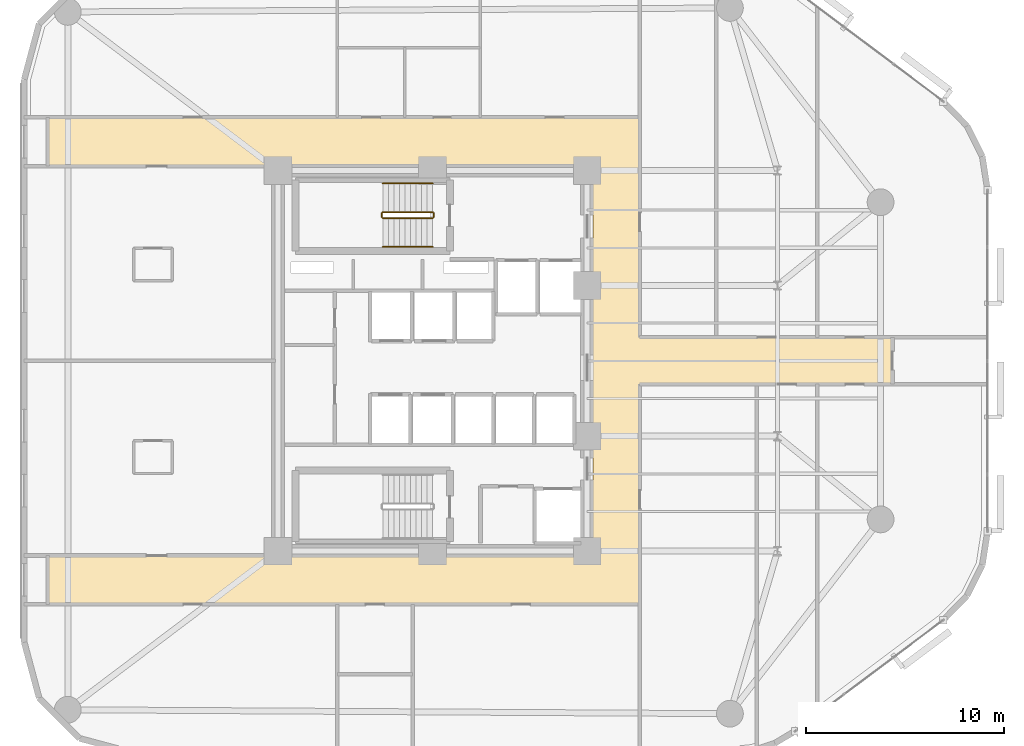
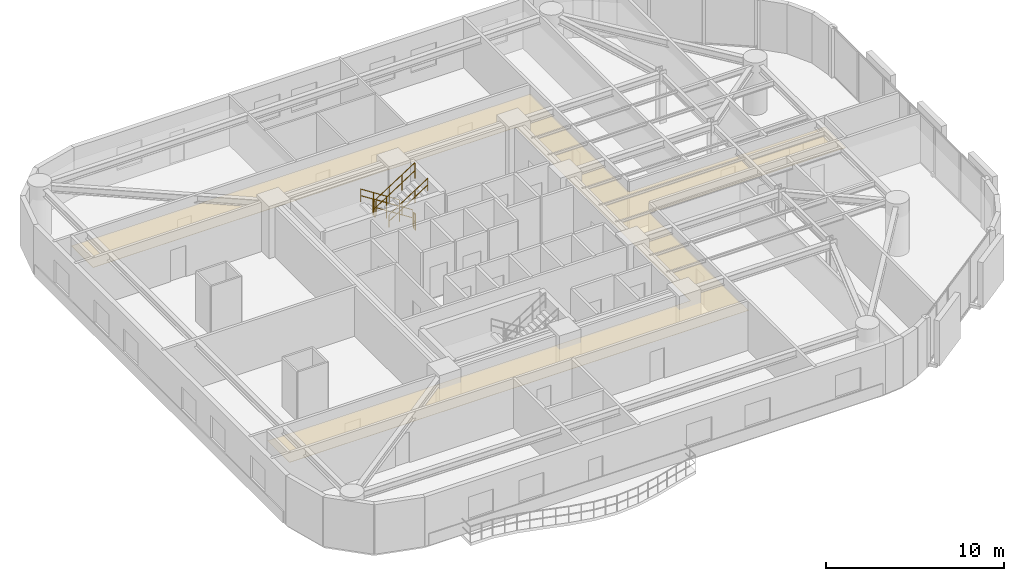
# One storey, part 15 of 16: 6 railings, 1 covering.
"""IFC4 building model written with IfcOpenShell, lengths in metres."""

from ifc_helpers import new_model, si_unit, direction, frame, origin, origin_2d, place, context, subcontext, project, spatial, polyline, circle, outline, extrude, material, layer, layer_set, type_object, element, save


model = new_model("IFC4")

# Units and contexts
model_context = context("Model", 3, precision=1e-05, world=origin(), true_north=direction((0.0, 1.0)))
body_context = subcontext(model_context, "Body", "Model", "MODEL_VIEW")
ifc_project = project(units=[si_unit("LENGTHUNIT", "METRE"), si_unit("AREAUNIT", "SQUARE_METRE"), si_unit("VOLUMEUNIT", "CUBIC_METRE"), si_unit("PLANEANGLEUNIT", "RADIAN"), si_unit("MASSUNIT", "GRAM", prefix="KILO")], contexts=[model_context])

# Site, building, storey
site_placement = place(None, origin())
site = spatial("IfcSite", under=ifc_project, at=site_placement, CompositionType="ELEMENT")
building_placement = place(site_placement, origin())
building = spatial("IfcBuilding", under=site, at=building_placement, Name="An Khanh Terracotta Commons", CompositionType="ELEMENT")
storey_placement = place(building_placement, frame((0.0, 0.0, 111.5)))
storey = spatial("IfcBuildingStorey", under=building, at=storey_placement, Name="L29", CompositionType="ELEMENT", Elevation=111.5)

# Covering
ifc_material_1 = material(Name="Perforated Mineral-Fibre Acoustic Tile")
ifc_layer = layer(ifc_material_1, 0.02001953125, Name="Perforated Mineral-Fibre Acoustic Tile")
ifc_layer_set = layer_set([ifc_layer], Name="Perforated Mineral-Fibre Acoustic Tile")
covering_type = type_object("IfcCoveringType", Name="CEIL-ACOUSTIC-18", PredefinedType="CEILING", material=ifc_layer_set)
covering_placement = place(storey_placement, frame((0.0, 0.0, 2.64990234375)))
element("IfcCovering", 1, at=covering_placement, inside=storey, type_object=covering_type, Name="L29 Corridor Ceiling", PredefinedType="CEILING", context=body_context, shape_type="SweptSolid", body=[
    extrude(outline(polyline([(10.0, 11.719970703125), (10.0, 14.179931640625), (37.5, 14.179931640625), (37.5, 33.820068359375), (10.0, 33.820068359375), (10.0, 36.280029296875), (37.5, 36.280029296875), (39.85009765625, 36.280029296875), (39.85009765625, 33.820068359375), (39.85009765625, 25.179931640625), (52.60009765625, 25.179931640625), (52.60009765625, 22.820068359375), (39.85009765625, 22.820068359375), (39.85009765625, 14.179931640625), (39.85009765625, 11.719970703125), (37.5, 11.719970703125), (10.0, 11.719970703125)])), origin(), (0.0, 0.0, 1.0), 0.02001953125),
])

# Railings
ifc_material_2 = material(Name="Brushed Stainless Steel 316", Category="steel")
railing_type_1 = type_object("IfcRailingType", Name="RAIL-HANDRAIL-900", PredefinedType="HANDRAIL", material=ifc_material_2)
railing_1_placement = place(storey_placement, frame((29.409912109375, 32.949951171875, 0.179931640625)))
element("IfcRailing", 2, at=railing_1_placement, inside=storey, type_object=railing_type_1, Name="L29 ST-01 stair handrail 1", PredefinedType="HANDRAIL", context=body_context, shape_type="SweptSolid", body=[
    extrude(circle(Radius=0.02392578125, at=origin_2d()), frame((0.0, 0.0, 0.8759765625), z_axis=(-0.841162588446, 0.0, 0.540782303519), x_axis=(0.0, -1.0, 0.0)), (0.0, 0.0, 1.0), 2.995849609375),
    extrude(circle(Radius=0.02392578125, at=origin_2d()), frame((0.0, 0.0, 0.42578125), z_axis=(-0.841162588446, 0.0, 0.540782303519), x_axis=(0.0, -1.0, 0.0)), (0.0, 0.0, 1.0), 2.995849609375),
    extrude(circle(Radius=0.02099609375, at=origin_2d()), origin(), (0.0, 0.0, 1.0), 0.851806640625),
    extrude(circle(Radius=0.02099609375, at=origin_2d()), frame((-0.840087890625, 0.0, 0.5400390625)), (0.0, 0.0, 1.0), 0.851806640625),
    extrude(circle(Radius=0.02099609375, at=origin_2d()), frame((-1.679931640625, 0.0, 1.080078125)), (0.0, 0.0, 1.0), 0.851806640625),
    extrude(circle(Radius=0.02099609375, at=origin_2d()), frame((-2.52001953125, 0.0, 1.6201171875)), (0.0, 0.0, 1.0), 0.851806640625),
])
railing_2_placement = place(storey_placement, frame((26.889892578125, 29.75, 1.97998046875)))
element("IfcRailing", 3, at=railing_2_placement, inside=storey, type_object=railing_type_1, Name="L29 ST-01 stair handrail 2", PredefinedType="HANDRAIL", context=body_context, shape_type="SweptSolid", body=[
    extrude(circle(Radius=0.02392578125, at=origin_2d()), frame((0.0, 0.0, 0.8759765625), z_axis=(0.841162588446, 0.0, 0.540782303519), x_axis=(0.0, 1.0, 0.0)), (0.0, 0.0, 1.0), 2.995849609375),
    extrude(circle(Radius=0.02392578125, at=origin_2d()), frame((0.0, 0.0, 0.42578125), z_axis=(0.841162588446, 0.0, 0.540782303519), x_axis=(0.0, 1.0, 0.0)), (0.0, 0.0, 1.0), 2.995849609375),
    extrude(circle(Radius=0.02099609375, at=origin_2d()), origin(), (0.0, 0.0, 1.0), 0.851806640625),
    extrude(circle(Radius=0.02099609375, at=origin_2d()), frame((0.840087890625, 0.0, 0.5400390625)), (0.0, 0.0, 1.0), 0.851806640625),
    extrude(circle(Radius=0.02099609375, at=origin_2d()), frame((1.679931640625, 0.0, 1.080078125)), (0.0, 0.0, 1.0), 0.851806640625),
    extrude(circle(Radius=0.02099609375, at=origin_2d()), frame((2.52001953125, 0.0, 1.6201171875)), (0.0, 0.0, 1.0), 0.851806640625),
])
ifc_material_3 = material(Name="Powder-Coated Steel S355J2", Category="steel")
railing_type_2 = type_object("IfcRailingType", Name="RAIL-STAIR-GUARD-1100", PredefinedType="BALUSTRADE", material=ifc_material_3)
railing_3_placement = place(storey_placement, frame((29.409912109375, 31.5, 0.179931640625)))
element("IfcRailing", 4, at=railing_3_placement, inside=storey, type_object=railing_type_2, Name="L29 ST-01 stair guard 1", PredefinedType="BALUSTRADE", context=body_context, shape_type="SweptSolid", body=[
    extrude(circle(Radius=0.02392578125, at=origin_2d()), frame((0.0, 0.0, 1.076171875), z_axis=(-0.841162588446, 0.0, 0.540782303519), x_axis=(0.0, -1.0, 0.0)), (0.0, 0.0, 1.0), 2.995849609375),
    extrude(circle(Radius=0.02392578125, at=origin_2d()), frame((0.0, 0.0, 0.52587890625), z_axis=(-0.841162588446, 0.0, 0.540782303519), x_axis=(0.0, -1.0, 0.0)), (0.0, 0.0, 1.0), 2.995849609375),
    extrude(circle(Radius=0.02099609375, at=origin_2d()), origin(), (0.0, 0.0, 1.0), 1.052001953125),
    extrude(circle(Radius=0.02099609375, at=origin_2d()), frame((-0.840087890625, 0.0, 0.5400390625)), (0.0, 0.0, 1.0), 1.052001953125),
    extrude(circle(Radius=0.02099609375, at=origin_2d()), frame((-1.679931640625, 0.0, 1.080078125)), (0.0, 0.0, 1.0), 1.052001953125),
    extrude(circle(Radius=0.02099609375, at=origin_2d()), frame((-2.52001953125, 0.0, 1.6201171875)), (0.0, 0.0, 1.0), 1.052001953125),
])
railing_4_placement = place(storey_placement, frame((26.840087890625, 31.449951171875, 1.800048828125)))
element("IfcRailing", 5, at=railing_4_placement, inside=storey, type_object=railing_type_2, Name="L29 ST-01 stair guard 2", PredefinedType="BALUSTRADE", context=body_context, shape_type="SweptSolid", body=[
    extrude(circle(Radius=0.02392578125, at=origin_2d()), frame((0.0, 0.0, 1.076171875), z_axis=(0.0, -1.0, 0.0), x_axis=(1.0, 0.0, 0.0)), (0.0, 0.0, 1.0), 0.199951171875),
    extrude(circle(Radius=0.02392578125, at=origin_2d()), frame((0.0, 0.0, 0.52587890625), z_axis=(0.0, -1.0, 0.0), x_axis=(1.0, 0.0, 0.0)), (0.0, 0.0, 1.0), 0.199951171875),
    extrude(circle(Radius=0.02099609375, at=origin_2d()), origin(), (0.0, 0.0, 1.0), 1.052001953125),
    extrude(circle(Radius=0.02099609375, at=origin_2d()), frame((0.0, -0.199951171875, 0.0)), (0.0, 0.0, 1.0), 1.052001953125),
])
railing_5_placement = place(storey_placement, frame((26.889892578125, 31.199951171875, 1.97998046875)))
element("IfcRailing", 6, at=railing_5_placement, inside=storey, type_object=railing_type_2, Name="L29 ST-01 stair guard 3", PredefinedType="BALUSTRADE", context=body_context, shape_type="SweptSolid", body=[
    extrude(circle(Radius=0.02392578125, at=origin_2d()), frame((0.0, 0.0, 1.076171875), z_axis=(0.841162588446, 0.0, 0.540782303519), x_axis=(0.0, 1.0, 0.0)), (0.0, 0.0, 1.0), 2.995849609375),
    extrude(circle(Radius=0.02392578125, at=origin_2d()), frame((0.0, 0.0, 0.52587890625), z_axis=(0.841162588446, 0.0, 0.540782303519), x_axis=(0.0, 1.0, 0.0)), (0.0, 0.0, 1.0), 2.995849609375),
    extrude(circle(Radius=0.02099609375, at=origin_2d()), origin(), (0.0, 0.0, 1.0), 1.052001953125),
    extrude(circle(Radius=0.02099609375, at=origin_2d()), frame((0.840087890625, 0.0, 0.5400390625)), (0.0, 0.0, 1.0), 1.052001953125),
    extrude(circle(Radius=0.02099609375, at=origin_2d()), frame((1.679931640625, 0.0, 1.080078125)), (0.0, 0.0, 1.0), 1.052001953125),
    extrude(circle(Radius=0.02099609375, at=origin_2d()), frame((2.52001953125, 0.0, 1.6201171875)), (0.0, 0.0, 1.0), 1.052001953125),
])
railing_6_placement = place(storey_placement, frame((29.4599609375, 31.449951171875, 0.0)))
element("IfcRailing", 7, at=railing_6_placement, inside=storey, type_object=railing_type_2, Name="L29 ST-01 stair guard 4", PredefinedType="BALUSTRADE", context=body_context, shape_type="SweptSolid", body=[
    extrude(circle(Radius=0.02392578125, at=origin_2d()), frame((0.0, 0.0, 1.076171875), z_axis=(0.0, -1.0, 0.0), x_axis=(1.0, 0.0, 0.0)), (0.0, 0.0, 1.0), 0.199951171875),
    extrude(circle(Radius=0.02392578125, at=origin_2d()), frame((0.0, 0.0, 0.52587890625), z_axis=(0.0, -1.0, 0.0), x_axis=(1.0, 0.0, 0.0)), (0.0, 0.0, 1.0), 0.199951171875),
    extrude(circle(Radius=0.02099609375, at=origin_2d()), origin(), (0.0, 0.0, 1.0), 1.052001953125),
    extrude(circle(Radius=0.02099609375, at=origin_2d()), frame((0.0, -0.199951171875, 0.0)), (0.0, 0.0, 1.0), 1.052001953125),
])

save(model, "model.ifc")
